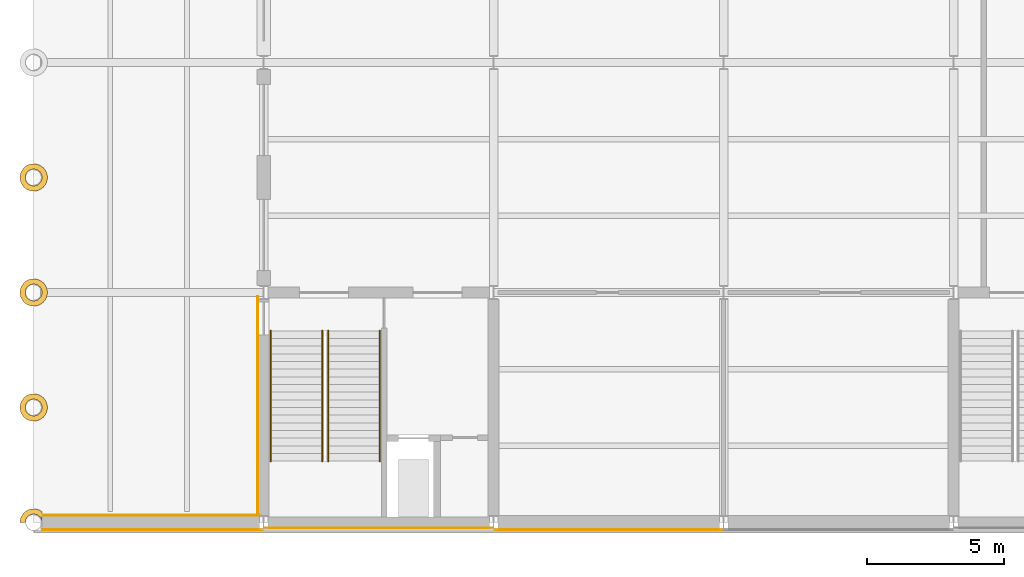
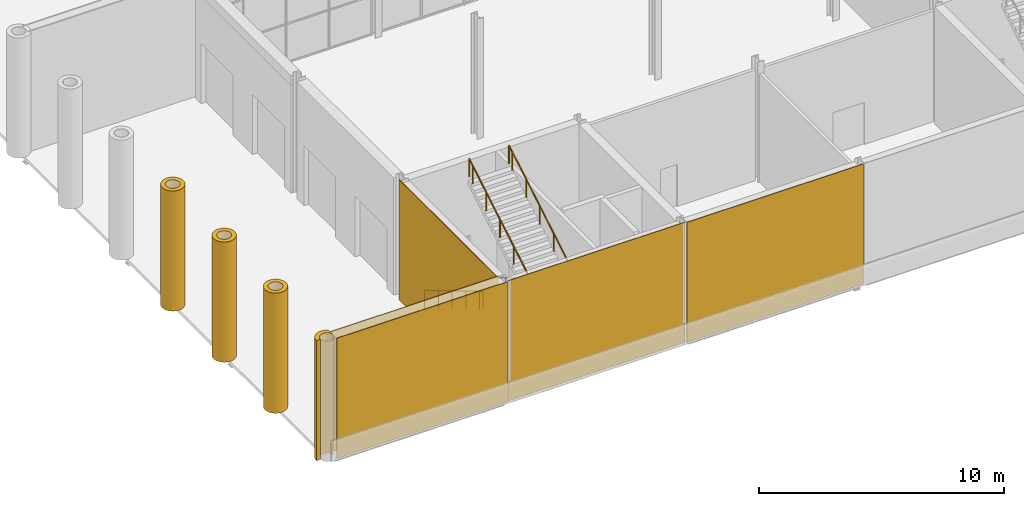
# One storey, part 40 of 55: 9 coverings, 4 railings.
"""IFC4 building model written with IfcOpenShell, lengths in metres."""

from ifc_helpers import new_model, si_unit, direction, frame, origin, origin_2d, place, context, subcontext, project, spatial, polyline, rectangle, circle, outline, extrude, material, layer, layer_set, type_object, element, save


model = new_model("IFC4")

# Units and contexts
model_context = context("Model", 3, precision=1e-05, world=origin(), true_north=direction((0.0, 1.0)))
body_context = subcontext(model_context, "Body", "Model", "MODEL_VIEW")
ifc_project = project(units=[si_unit("LENGTHUNIT", "METRE"), si_unit("AREAUNIT", "SQUARE_METRE"), si_unit("VOLUMEUNIT", "CUBIC_METRE"), si_unit("PLANEANGLEUNIT", "RADIAN"), si_unit("MASSUNIT", "GRAM", prefix="KILO")], contexts=[model_context])

# Site, building, storey
site_placement = place(None, origin())
site = spatial("IfcSite", under=ifc_project, at=site_placement, CompositionType="ELEMENT")
building_placement = place(site_placement, origin())
building = spatial("IfcBuilding", under=site, at=building_placement, Name="Galleria Vessillo Department Store", CompositionType="ELEMENT")
storey_placement = place(building_placement, origin())
storey = spatial("IfcBuildingStorey", under=building, at=storey_placement, Name="L00", CompositionType="ELEMENT", Elevation=0.0)

# Coverings
ifc_material_1 = material(Name="Lime plaster (intonaco) ochre")
ifc_layer_1 = layer(ifc_material_1, 0.030029296875)
ifc_layer_set_1 = layer_set([ifc_layer_1], Name="Lime plaster (intonaco) ochre")
covering_type_1 = type_object("IfcCoveringType", Name="Lime plaster render 30 mm", PredefinedType="CLADDING", material=ifc_layer_set_1)
covering_1_placement = place(storey_placement, frame((4.33740234375, -0.264892578125, 0.0), z_axis=(0.0, 0.0, 1.0), x_axis=(1.0, 0.0, 0.0)))
element("IfcCovering", 1, at=covering_1_placement, inside=storey, type_object=covering_type_1, Name="Wall cladding S-PS-L00-01", PredefinedType="CLADDING", context=body_context, shape_type="SweptSolid", body=[
    extrude(rectangle(XDim=8.065185546875, YDim=0.030029296875, at=origin_2d()), origin(), (0.0, 0.0, 1.0), 6.0),
])
for number, where, z_axis, x_axis, name in (
    (2, (12.599853515625, -0.215087890625, 0.0), (0.0, 0.0, 1.0), (1.0, 0.0, 0.0), "Wall cladding S-CW-PC-SW-PARTY-L00"),
    (3, (21.0, -0.264892578125, 0.0), (0.0, 0.0, 1.0), (1.0, 0.0, 0.0), "Wall cladding S-PS-L00-02"),
):
    element("IfcCovering", number, at=place(storey_placement, frame(where, z_axis=z_axis, x_axis=x_axis)), inside=storey, type_object=covering_type_1, Name=name, PredefinedType="CLADDING", context=body_context, shape_type="SweptSolid", body=[
        extrude(rectangle(XDim=8.340087890625, YDim=0.030029296875, at=origin_2d()), origin(), (0.0, 0.0, 1.0), 6.0),
    ])
ifc_material_2 = material(Name="Botticino limestone ashlar", Category="masonry")
ifc_layer_2 = layer(ifc_material_2, 0.195068359375)
ifc_layer_set_2 = layer_set([ifc_layer_2], Name="Botticino limestone ashlar")
covering_type_2 = type_object("IfcCoveringType", Name="Limestone column drum cladding 1000 mm", PredefinedType="CLADDING", material=ifc_layer_set_2)
covering_2_placement = place(storey_placement, origin())
element("IfcCovering", 4, at=covering_2_placement, inside=storey, type_object=covering_type_2, Name="Column drum cladding L00 y=4.2", PredefinedType="CLADDING", context=body_context, shape_type="SweptSolid", body=[
    extrude(outline(polyline([(0.5, 4.199951171875), (0.49560546875, 4.26513671875), (0.48291015625, 4.329345703125), (0.4619140625, 4.391357421875), (0.43310546875, 4.449951171875), (0.396728515625, 4.50439453125), (0.353515625, 4.553466796875), (0.304443359375, 4.5966796875), (0.25, 4.633056640625), (0.19140625, 4.661865234375), (0.12939453125, 4.682861328125), (0.065185546875, 4.695556640625), (0.0, 4.699951171875), (-0.065185546875, 4.695556640625), (-0.12939453125, 4.682861328125), (-0.19140625, 4.661865234375), (-0.25, 4.633056640625), (-0.304443359375, 4.5966796875), (-0.353515625, 4.553466796875), (-0.396728515625, 4.50439453125), (-0.43310546875, 4.449951171875), (-0.4619140625, 4.391357421875), (-0.48291015625, 4.329345703125), (-0.49560546875, 4.26513671875), (-0.5, 4.199951171875), (-0.49560546875, 4.134765625), (-0.48291015625, 4.070556640625), (-0.4619140625, 4.008544921875), (-0.43310546875, 3.949951171875), (-0.396728515625, 3.8955078125), (-0.353515625, 3.846435546875), (-0.304443359375, 3.80322265625), (-0.25, 3.766845703125), (-0.19140625, 3.738037109375), (-0.12939453125, 3.717041015625), (-0.065185546875, 3.704345703125), (0.0, 3.699951171875), (0.065185546875, 3.704345703125), (0.12939453125, 3.717041015625), (0.19140625, 3.738037109375), (0.25, 3.766845703125), (0.304443359375, 3.80322265625), (0.353515625, 3.846435546875), (0.396728515625, 3.8955078125), (0.43310546875, 3.949951171875), (0.4619140625, 4.008544921875), (0.48291015625, 4.070556640625), (0.49560546875, 4.134765625), (0.5, 4.199951171875)]), holes=[polyline([(0.3056640625, 4.199951171875), (0.302978515625, 4.23974609375), (0.295166015625, 4.279052734375), (0.282470703125, 4.31689453125), (0.2646484375, 4.352783203125), (0.242431640625, 4.385986328125), (0.216064453125, 4.416015625), (0.18603515625, 4.4423828125), (0.15283203125, 4.464599609375), (0.116943359375, 4.482421875), (0.0791015625, 4.4951171875), (0.039794921875, 4.5029296875), (0.0, 4.505615234375), (-0.039794921875, 4.5029296875), (-0.0791015625, 4.4951171875), (-0.116943359375, 4.482421875), (-0.15283203125, 4.464599609375), (-0.18603515625, 4.4423828125), (-0.216064453125, 4.416015625), (-0.242431640625, 4.385986328125), (-0.2646484375, 4.352783203125), (-0.282470703125, 4.31689453125), (-0.295166015625, 4.279052734375), (-0.302978515625, 4.23974609375), (-0.3056640625, 4.199951171875), (-0.302978515625, 4.16015625), (-0.295166015625, 4.120849609375), (-0.282470703125, 4.0830078125), (-0.2646484375, 4.047119140625), (-0.242431640625, 4.013916015625), (-0.216064453125, 3.98388671875), (-0.18603515625, 3.95751953125), (-0.15283203125, 3.935302734375), (-0.116943359375, 3.91748046875), (-0.0791015625, 3.90478515625), (-0.039794921875, 3.89697265625), (0.0, 3.894287109375), (0.039794921875, 3.89697265625), (0.0791015625, 3.90478515625), (0.116943359375, 3.91748046875), (0.15283203125, 3.935302734375), (0.18603515625, 3.95751953125), (0.216064453125, 3.98388671875), (0.242431640625, 4.013916015625), (0.2646484375, 4.047119140625), (0.282470703125, 4.0830078125), (0.295166015625, 4.120849609375), (0.302978515625, 4.16015625), (0.3056640625, 4.199951171875)])]), origin(), (0.0, 0.0, 1.0), 6.0),
])
covering_3_placement = place(storey_placement, origin())
element("IfcCovering", 5, at=covering_3_placement, inside=storey, type_object=covering_type_2, Name="Column drum cladding L00 y=8.4", PredefinedType="CLADDING", context=body_context, shape_type="SweptSolid", body=[
    extrude(outline(polyline([(0.5, 8.39990234375), (0.49560546875, 8.465087890625), (0.48291015625, 8.529296875), (0.4619140625, 8.59130859375), (0.43310546875, 8.64990234375), (0.396728515625, 8.704345703125), (0.353515625, 8.75341796875), (0.304443359375, 8.796630859375), (0.25, 8.8330078125), (0.19140625, 8.86181640625), (0.12939453125, 8.8828125), (0.065185546875, 8.8955078125), (0.0, 8.89990234375), (-0.065185546875, 8.8955078125), (-0.12939453125, 8.8828125), (-0.19140625, 8.86181640625), (-0.25, 8.8330078125), (-0.304443359375, 8.796630859375), (-0.353515625, 8.75341796875), (-0.396728515625, 8.704345703125), (-0.43310546875, 8.64990234375), (-0.4619140625, 8.59130859375), (-0.48291015625, 8.529296875), (-0.49560546875, 8.465087890625), (-0.5, 8.39990234375), (-0.49560546875, 8.334716796875), (-0.48291015625, 8.2705078125), (-0.4619140625, 8.20849609375), (-0.43310546875, 8.14990234375), (-0.396728515625, 8.095458984375), (-0.353515625, 8.04638671875), (-0.304443359375, 8.003173828125), (-0.25, 7.966796875), (-0.19140625, 7.93798828125), (-0.12939453125, 7.9169921875), (-0.065185546875, 7.904296875), (0.0, 7.89990234375), (0.065185546875, 7.904296875), (0.12939453125, 7.9169921875), (0.19140625, 7.93798828125), (0.25, 7.966796875), (0.304443359375, 8.003173828125), (0.353515625, 8.04638671875), (0.396728515625, 8.095458984375), (0.43310546875, 8.14990234375), (0.4619140625, 8.20849609375), (0.48291015625, 8.2705078125), (0.49560546875, 8.334716796875), (0.5, 8.39990234375)]), holes=[polyline([(0.3056640625, 8.39990234375), (0.302978515625, 8.439697265625), (0.295166015625, 8.47900390625), (0.282470703125, 8.516845703125), (0.2646484375, 8.552734375), (0.242431640625, 8.5859375), (0.216064453125, 8.615966796875), (0.18603515625, 8.642333984375), (0.15283203125, 8.66455078125), (0.116943359375, 8.682373046875), (0.0791015625, 8.695068359375), (0.039794921875, 8.702880859375), (0.0, 8.70556640625), (-0.039794921875, 8.702880859375), (-0.0791015625, 8.695068359375), (-0.116943359375, 8.682373046875), (-0.15283203125, 8.66455078125), (-0.18603515625, 8.642333984375), (-0.216064453125, 8.615966796875), (-0.242431640625, 8.5859375), (-0.2646484375, 8.552734375), (-0.282470703125, 8.516845703125), (-0.295166015625, 8.47900390625), (-0.302978515625, 8.439697265625), (-0.3056640625, 8.39990234375), (-0.302978515625, 8.360107421875), (-0.295166015625, 8.32080078125), (-0.282470703125, 8.282958984375), (-0.2646484375, 8.2470703125), (-0.242431640625, 8.2138671875), (-0.216064453125, 8.183837890625), (-0.18603515625, 8.157470703125), (-0.15283203125, 8.13525390625), (-0.116943359375, 8.117431640625), (-0.0791015625, 8.104736328125), (-0.039794921875, 8.096923828125), (0.0, 8.09423828125), (0.039794921875, 8.096923828125), (0.0791015625, 8.104736328125), (0.116943359375, 8.117431640625), (0.15283203125, 8.13525390625), (0.18603515625, 8.157470703125), (0.216064453125, 8.183837890625), (0.242431640625, 8.2138671875), (0.2646484375, 8.2470703125), (0.282470703125, 8.282958984375), (0.295166015625, 8.32080078125), (0.302978515625, 8.360107421875), (0.3056640625, 8.39990234375)])]), origin(), (0.0, 0.0, 1.0), 6.0),
])
covering_4_placement = place(storey_placement, origin())
element("IfcCovering", 6, at=covering_4_placement, inside=storey, type_object=covering_type_2, Name="Column drum cladding L00 y=12.6", PredefinedType="CLADDING", context=body_context, shape_type="SweptSolid", body=[
    extrude(outline(polyline([(0.5, 12.60009765625), (0.49560546875, 12.665283203125), (0.48291015625, 12.7294921875), (0.4619140625, 12.79150390625), (0.43310546875, 12.85009765625), (0.396728515625, 12.904541015625), (0.353515625, 12.95361328125), (0.304443359375, 12.996826171875), (0.25, 13.033203125), (0.19140625, 13.06201171875), (0.12939453125, 13.0830078125), (0.065185546875, 13.095703125), (0.0, 13.10009765625), (-0.065185546875, 13.095703125), (-0.12939453125, 13.0830078125), (-0.19140625, 13.06201171875), (-0.25, 13.033203125), (-0.304443359375, 12.996826171875), (-0.353515625, 12.95361328125), (-0.396728515625, 12.904541015625), (-0.43310546875, 12.85009765625), (-0.4619140625, 12.79150390625), (-0.48291015625, 12.7294921875), (-0.49560546875, 12.665283203125), (-0.5, 12.60009765625), (-0.49560546875, 12.534912109375), (-0.48291015625, 12.470703125), (-0.4619140625, 12.40869140625), (-0.43310546875, 12.35009765625), (-0.396728515625, 12.295654296875), (-0.353515625, 12.24658203125), (-0.304443359375, 12.203369140625), (-0.25, 12.1669921875), (-0.19140625, 12.13818359375), (-0.12939453125, 12.1171875), (-0.065185546875, 12.1044921875), (0.0, 12.10009765625), (0.065185546875, 12.1044921875), (0.12939453125, 12.1171875), (0.19140625, 12.13818359375), (0.25, 12.1669921875), (0.304443359375, 12.203369140625), (0.353515625, 12.24658203125), (0.396728515625, 12.295654296875), (0.43310546875, 12.35009765625), (0.4619140625, 12.40869140625), (0.48291015625, 12.470703125), (0.49560546875, 12.534912109375), (0.5, 12.60009765625)]), holes=[polyline([(0.3056640625, 12.60009765625), (0.302978515625, 12.639892578125), (0.295166015625, 12.67919921875), (0.282470703125, 12.717041015625), (0.2646484375, 12.7529296875), (0.242431640625, 12.7861328125), (0.216064453125, 12.816162109375), (0.18603515625, 12.842529296875), (0.15283203125, 12.86474609375), (0.116943359375, 12.882568359375), (0.0791015625, 12.895263671875), (0.039794921875, 12.903076171875), (0.0, 12.90576171875), (-0.039794921875, 12.903076171875), (-0.0791015625, 12.895263671875), (-0.116943359375, 12.882568359375), (-0.15283203125, 12.86474609375), (-0.18603515625, 12.842529296875), (-0.216064453125, 12.816162109375), (-0.242431640625, 12.7861328125), (-0.2646484375, 12.7529296875), (-0.282470703125, 12.717041015625), (-0.295166015625, 12.67919921875), (-0.302978515625, 12.639892578125), (-0.3056640625, 12.60009765625), (-0.302978515625, 12.560302734375), (-0.295166015625, 12.52099609375), (-0.282470703125, 12.483154296875), (-0.2646484375, 12.447265625), (-0.242431640625, 12.4140625), (-0.216064453125, 12.384033203125), (-0.18603515625, 12.357666015625), (-0.15283203125, 12.33544921875), (-0.116943359375, 12.317626953125), (-0.0791015625, 12.304931640625), (-0.039794921875, 12.297119140625), (0.0, 12.29443359375), (0.039794921875, 12.297119140625), (0.0791015625, 12.304931640625), (0.116943359375, 12.317626953125), (0.15283203125, 12.33544921875), (0.18603515625, 12.357666015625), (0.216064453125, 12.384033203125), (0.242431640625, 12.4140625), (0.2646484375, 12.447265625), (0.282470703125, 12.483154296875), (0.295166015625, 12.52099609375), (0.302978515625, 12.560302734375), (0.3056640625, 12.60009765625)])]), origin(), (0.0, 0.0, 1.0), 6.0),
])
covering_5_placement = place(storey_placement, origin())
element("IfcCovering", 7, at=covering_5_placement, inside=storey, type_object=covering_type_2, Name="Corner column drum cladding L00 y=0", PredefinedType="CLADDING", context=body_context, shape_type="SweptSolid", body=[
    extrude(outline(polyline([(-0.49560546875, 0.065185546875), (-0.48291015625, 0.12939453125), (-0.4619140625, 0.19140625), (-0.43310546875, 0.25), (-0.396728515625, 0.304443359375), (-0.353515625, 0.353515625), (-0.304443359375, 0.396728515625), (-0.25, 0.43310546875), (-0.19140625, 0.4619140625), (-0.12939453125, 0.48291015625), (-0.065185546875, 0.49560546875), (0.0, 0.5), (0.065185546875, 0.49560546875), (0.12939453125, 0.48291015625), (0.19140625, 0.4619140625), (0.25, 0.43310546875), (0.304443359375, 0.396728515625), (0.304931640625, 0.39599609375), (0.304931640625, 0.010009765625), (0.302978515625, 0.039794921875), (0.295166015625, 0.0791015625), (0.282470703125, 0.116943359375), (0.2646484375, 0.15283203125), (0.242431640625, 0.18603515625), (0.216064453125, 0.216064453125), (0.18603515625, 0.242431640625), (0.15283203125, 0.2646484375), (0.116943359375, 0.282470703125), (0.0791015625, 0.295166015625), (0.039794921875, 0.302978515625), (0.0, 0.3056640625), (-0.039794921875, 0.302978515625), (-0.0791015625, 0.295166015625), (-0.116943359375, 0.282470703125), (-0.15283203125, 0.2646484375), (-0.18603515625, 0.242431640625), (-0.216064453125, 0.216064453125), (-0.242431640625, 0.18603515625), (-0.2646484375, 0.15283203125), (-0.282470703125, 0.116943359375), (-0.295166015625, 0.0791015625), (-0.302978515625, 0.039794921875), (-0.3056640625, 0.0), (-0.3056640625, 0.0), (-0.5, 0.0), (-0.5, 0.0), (-0.49560546875, 0.065185546875)])), origin(), (0.0, 0.0, 1.0), 6.0),
])
ifc_material_3 = material(Name="Botticino limestone ashlar", Category="masonry")
ifc_layer_3 = layer(ifc_material_3, 0.030029296875)
ifc_layer_set_3 = layer_set([ifc_layer_3], Name="Botticino limestone ashlar")
covering_type_3 = type_object("IfcCoveringType", Name="Limestone wall cladding 30 mm", PredefinedType="CLADDING", material=ifc_layer_set_3)
covering_6_placement = place(storey_placement, frame((8.184814453125, 4.260009765625, 0.0), z_axis=(0.0, 0.0, 1.0), x_axis=(1.0, 0.0, 0.0)))
element("IfcCovering", 8, at=covering_6_placement, inside=storey, type_object=covering_type_3, Name="Wall cladding S-CW-PC-SW-WEST-L00", PredefinedType="CLADDING", context=body_context, shape_type="SweptSolid", body=[
    extrude(rectangle(XDim=0.030029296875, YDim=8.02001953125, at=origin_2d()), origin(), (0.0, 0.0, 1.0), 6.0),
])
covering_7_placement = place(storey_placement, frame((4.27734375, 0.264892578125, 0.0), z_axis=(0.0, 0.0, 1.0), x_axis=(1.0, 0.0, 0.0)))
element("IfcCovering", 9, at=covering_7_placement, inside=storey, type_object=covering_type_3, Name="Loggia end bay cladding S-PS-L00-01", PredefinedType="CLADDING", context=body_context, shape_type="SweptSolid", body=[
    extrude(rectangle(XDim=7.945068359375, YDim=0.030029296875, at=origin_2d()), origin(), (0.0, 0.0, 1.0), 6.0),
])

# Railings
ifc_material_4 = material(Name="Stainless steel tube", Category="steel")
railing_type = type_object("IfcRailingType", Name="Stair handrail steel tube 48 mm", PredefinedType="HANDRAIL", material=ifc_material_4)
railing_1_placement = place(storey_placement, frame((10.5400390625, 7.0, 0.166748046875)))
element("IfcRailing", 10, at=railing_1_placement, inside=storey, type_object=railing_type, Name="Handrail ST1 L00 flight 1A", PredefinedType="HANDRAIL", context=body_context, shape_type="SweptSolid", body=[
    extrude(circle(Radius=0.02392578125, at=origin_2d()), frame((0.0, 0.0, 0.89599609375), z_axis=(0.0, -0.859371278866, 0.511352134112), x_axis=(1.0, 0.0, 0.0)), (0.0, 0.0, 1.0), 1.303466796875),
    extrude(circle(Radius=0.02392578125, at=origin_2d()), frame((0.0, -1.1201171875, 1.5625), z_axis=(0.0, -0.859239953289, 0.511572773584), x_axis=(1.0, 0.0, 0.0)), (0.0, 0.0, 1.0), 1.30322265625),
    extrude(circle(Radius=0.02392578125, at=origin_2d()), frame((0.0, -2.239990234375, 2.22900390625), z_axis=(0.0, -0.859288964532, 0.511490445104), x_axis=(1.0, 0.0, 0.0)), (0.0, 0.0, 1.0), 1.303466796875),
    extrude(circle(Radius=0.02392578125, at=origin_2d()), frame((0.0, -3.360107421875, 2.89599609375), z_axis=(0.0, -0.85932228943, 0.511434456103), x_axis=(1.0, 0.0, 0.0)), (0.0, 0.0, 1.0), 1.30322265625),
    extrude(circle(Radius=0.02392578125, at=origin_2d()), frame((0.0, -4.47998046875, 3.5625), z_axis=(0.0, -0.859206643714, 0.511628716353), x_axis=(1.0, 0.0, 0.0)), (0.0, 0.0, 1.0), 0.325927734375),
    extrude(circle(Radius=0.02099609375, at=origin_2d()), origin(), (0.0, 0.0, 1.0), 0.871826171875),
    extrude(circle(Radius=0.02099609375, at=origin_2d()), frame((0.0, -1.1201171875, 0.66650390625)), (0.0, 0.0, 1.0), 0.871826171875),
    extrude(circle(Radius=0.02099609375, at=origin_2d()), frame((0.0, -2.239990234375, 1.333251953125)), (0.0, 0.0, 1.0), 0.871826171875),
    extrude(circle(Radius=0.02099609375, at=origin_2d()), frame((0.0, -3.360107421875, 2.0)), (0.0, 0.0, 1.0), 0.871826171875),
    extrude(circle(Radius=0.02099609375, at=origin_2d()), frame((0.0, -4.47998046875, 2.66650390625)), (0.0, 0.0, 1.0), 0.871826171875),
    extrude(circle(Radius=0.02099609375, at=origin_2d()), frame((0.0, -4.760009765625, 2.833251953125)), (0.0, 0.0, 1.0), 0.871826171875),
])
railing_2_placement = place(storey_placement, frame((8.66015625, 7.0, 0.166748046875)))
element("IfcRailing", 11, at=railing_2_placement, inside=storey, type_object=railing_type, Name="Handrail ST1 L00 flight 1B", PredefinedType="HANDRAIL", context=body_context, shape_type="SweptSolid", body=[
    extrude(circle(Radius=0.02392578125, at=origin_2d()), frame((0.0, 0.0, 0.89599609375), z_axis=(0.0, -0.859371278866, 0.511352134112), x_axis=(1.0, 0.0, 0.0)), (0.0, 0.0, 1.0), 1.303466796875),
    extrude(circle(Radius=0.02392578125, at=origin_2d()), frame((0.0, -1.1201171875, 1.5625), z_axis=(0.0, -0.859239953289, 0.511572773584), x_axis=(1.0, 0.0, 0.0)), (0.0, 0.0, 1.0), 1.30322265625),
    extrude(circle(Radius=0.02392578125, at=origin_2d()), frame((0.0, -2.239990234375, 2.22900390625), z_axis=(0.0, -0.859288964532, 0.511490445104), x_axis=(1.0, 0.0, 0.0)), (0.0, 0.0, 1.0), 1.303466796875),
    extrude(circle(Radius=0.02392578125, at=origin_2d()), frame((0.0, -3.360107421875, 2.89599609375), z_axis=(0.0, -0.85932228943, 0.511434456103), x_axis=(1.0, 0.0, 0.0)), (0.0, 0.0, 1.0), 1.30322265625),
    extrude(circle(Radius=0.02392578125, at=origin_2d()), frame((0.0, -4.47998046875, 3.5625), z_axis=(0.0, -0.859206643714, 0.511628716353), x_axis=(1.0, 0.0, 0.0)), (0.0, 0.0, 1.0), 0.325927734375),
    extrude(circle(Radius=0.02099609375, at=origin_2d()), origin(), (0.0, 0.0, 1.0), 0.871826171875),
    extrude(circle(Radius=0.02099609375, at=origin_2d()), frame((0.0, -1.1201171875, 0.66650390625)), (0.0, 0.0, 1.0), 0.871826171875),
    extrude(circle(Radius=0.02099609375, at=origin_2d()), frame((0.0, -2.239990234375, 1.333251953125)), (0.0, 0.0, 1.0), 0.871826171875),
    extrude(circle(Radius=0.02099609375, at=origin_2d()), frame((0.0, -3.360107421875, 2.0)), (0.0, 0.0, 1.0), 0.871826171875),
    extrude(circle(Radius=0.02099609375, at=origin_2d()), frame((0.0, -4.47998046875, 2.66650390625)), (0.0, 0.0, 1.0), 0.871826171875),
    extrude(circle(Radius=0.02099609375, at=origin_2d()), frame((0.0, -4.760009765625, 2.833251953125)), (0.0, 0.0, 1.0), 0.871826171875),
])
railing_3_placement = place(storey_placement, frame((10.760009765625, 2.239990234375, 3.166748046875)))
element("IfcRailing", 12, at=railing_3_placement, inside=storey, type_object=railing_type, Name="Handrail ST1 L00 flight 2A", PredefinedType="HANDRAIL", context=body_context, shape_type="SweptSolid", body=[
    extrude(circle(Radius=0.02392578125, at=origin_2d()), frame((0.0, 0.0, 0.89599609375), z_axis=(0.0, 0.859371278866, 0.511352134112), x_axis=(-1.0, 0.0, 0.0)), (0.0, 0.0, 1.0), 1.303466796875),
    extrude(circle(Radius=0.02392578125, at=origin_2d()), frame((0.0, 1.1201171875, 1.5625), z_axis=(0.0, 0.859239953289, 0.511572773584), x_axis=(-1.0, 0.0, 0.0)), (0.0, 0.0, 1.0), 1.30322265625),
    extrude(circle(Radius=0.02392578125, at=origin_2d()), frame((0.0, 2.239990234375, 2.22900390625), z_axis=(0.0, 0.859288964532, 0.511490445104), x_axis=(-1.0, 0.0, 0.0)), (0.0, 0.0, 1.0), 1.303466796875),
    extrude(circle(Radius=0.02392578125, at=origin_2d()), frame((0.0, 3.360107421875, 2.89599609375), z_axis=(0.0, 0.85932228943, 0.511434456103), x_axis=(-1.0, 0.0, 0.0)), (0.0, 0.0, 1.0), 1.30322265625),
    extrude(circle(Radius=0.02392578125, at=origin_2d()), frame((0.0, 4.47998046875, 3.5625), z_axis=(0.0, 0.859206643714, 0.511628716353), x_axis=(-1.0, 0.0, 0.0)), (0.0, 0.0, 1.0), 0.325927734375),
    extrude(circle(Radius=0.02099609375, at=origin_2d()), origin(), (0.0, 0.0, 1.0), 0.871826171875),
    extrude(circle(Radius=0.02099609375, at=origin_2d()), frame((0.0, 1.1201171875, 0.66650390625)), (0.0, 0.0, 1.0), 0.871826171875),
    extrude(circle(Radius=0.02099609375, at=origin_2d()), frame((0.0, 2.239990234375, 1.333251953125)), (0.0, 0.0, 1.0), 0.871826171875),
    extrude(circle(Radius=0.02099609375, at=origin_2d()), frame((0.0, 3.360107421875, 2.0)), (0.0, 0.0, 1.0), 0.871826171875),
    extrude(circle(Radius=0.02099609375, at=origin_2d()), frame((0.0, 4.47998046875, 2.66650390625)), (0.0, 0.0, 1.0), 0.871826171875),
    extrude(circle(Radius=0.02099609375, at=origin_2d()), frame((0.0, 4.760009765625, 2.833251953125)), (0.0, 0.0, 1.0), 0.871826171875),
])
railing_4_placement = place(storey_placement, frame((12.639892578125, 2.239990234375, 3.166748046875)))
element("IfcRailing", 13, at=railing_4_placement, inside=storey, type_object=railing_type, Name="Handrail ST1 L00 flight 2B", PredefinedType="HANDRAIL", context=body_context, shape_type="SweptSolid", body=[
    extrude(circle(Radius=0.02392578125, at=origin_2d()), frame((0.0, 0.0, 0.89599609375), z_axis=(0.0, 0.859371278866, 0.511352134112), x_axis=(-1.0, 0.0, 0.0)), (0.0, 0.0, 1.0), 1.303466796875),
    extrude(circle(Radius=0.02392578125, at=origin_2d()), frame((0.0, 1.1201171875, 1.5625), z_axis=(0.0, 0.859239953289, 0.511572773584), x_axis=(-1.0, 0.0, 0.0)), (0.0, 0.0, 1.0), 1.30322265625),
    extrude(circle(Radius=0.02392578125, at=origin_2d()), frame((0.0, 2.239990234375, 2.22900390625), z_axis=(0.0, 0.859288964532, 0.511490445104), x_axis=(-1.0, 0.0, 0.0)), (0.0, 0.0, 1.0), 1.303466796875),
    extrude(circle(Radius=0.02392578125, at=origin_2d()), frame((0.0, 3.360107421875, 2.89599609375), z_axis=(0.0, 0.85932228943, 0.511434456103), x_axis=(-1.0, 0.0, 0.0)), (0.0, 0.0, 1.0), 1.30322265625),
    extrude(circle(Radius=0.02392578125, at=origin_2d()), frame((0.0, 4.47998046875, 3.5625), z_axis=(0.0, 0.859206643714, 0.511628716353), x_axis=(-1.0, 0.0, 0.0)), (0.0, 0.0, 1.0), 0.325927734375),
    extrude(circle(Radius=0.02099609375, at=origin_2d()), origin(), (0.0, 0.0, 1.0), 0.871826171875),
    extrude(circle(Radius=0.02099609375, at=origin_2d()), frame((0.0, 1.1201171875, 0.66650390625)), (0.0, 0.0, 1.0), 0.871826171875),
    extrude(circle(Radius=0.02099609375, at=origin_2d()), frame((0.0, 2.239990234375, 1.333251953125)), (0.0, 0.0, 1.0), 0.871826171875),
    extrude(circle(Radius=0.02099609375, at=origin_2d()), frame((0.0, 3.360107421875, 2.0)), (0.0, 0.0, 1.0), 0.871826171875),
    extrude(circle(Radius=0.02099609375, at=origin_2d()), frame((0.0, 4.47998046875, 2.66650390625)), (0.0, 0.0, 1.0), 0.871826171875),
    extrude(circle(Radius=0.02099609375, at=origin_2d()), frame((0.0, 4.760009765625, 2.833251953125)), (0.0, 0.0, 1.0), 0.871826171875),
])

save(model, "model.ifc")
